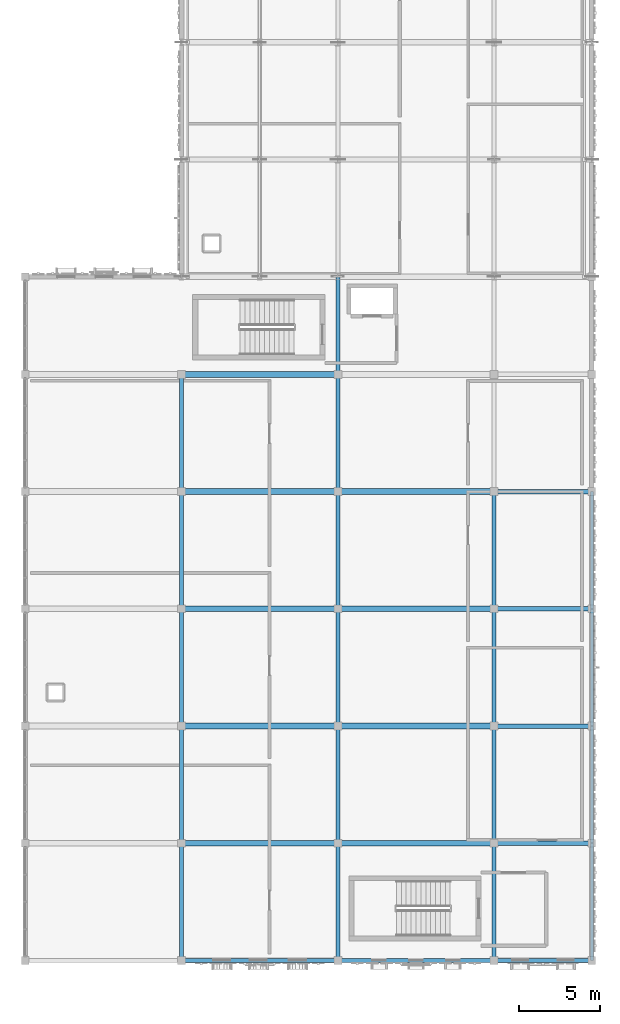
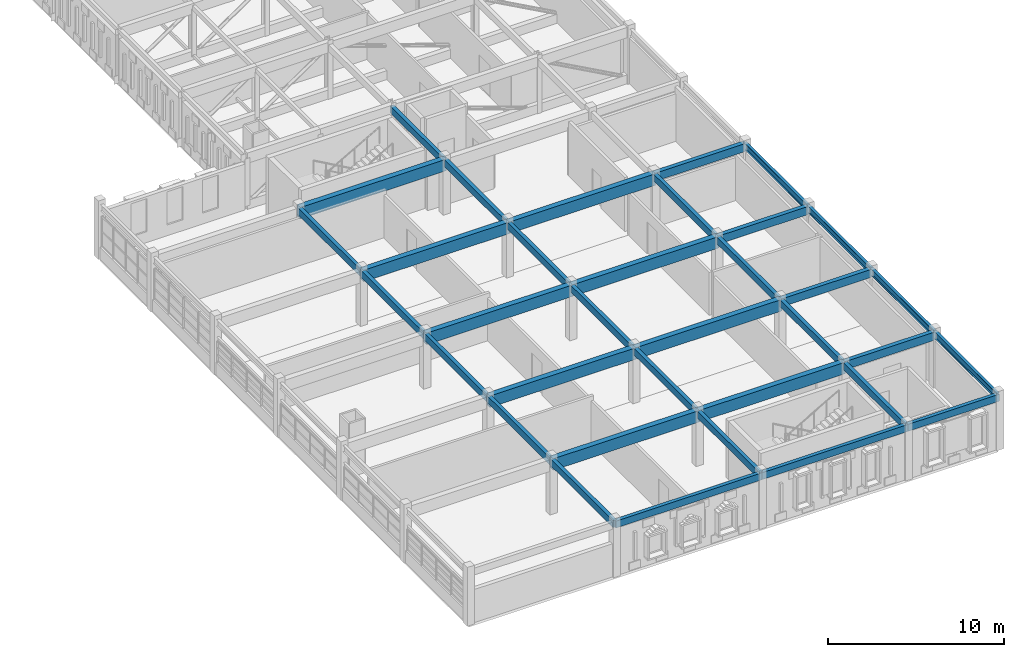
# One storey, part 27 of 79: 35 beams.
"""IFC4 building model written with IfcOpenShell, lengths in metres."""

from ifc_helpers import new_model, si_unit, direction, frame, origin, origin_2d, place, context, subcontext, project, spatial, rectangle, i_section, extrude, material, material_profile, profile_set, type_object, element, save


model = new_model("IFC4")

# Units and contexts
model_context = context("Model", 3, precision=1e-05, world=origin(), true_north=direction((0.0, 1.0)))
body_context = subcontext(model_context, "Body", "Model", "MODEL_VIEW")
ifc_project = project(units=[si_unit("LENGTHUNIT", "METRE"), si_unit("AREAUNIT", "SQUARE_METRE"), si_unit("VOLUMEUNIT", "CUBIC_METRE"), si_unit("PLANEANGLEUNIT", "RADIAN"), si_unit("MASSUNIT", "GRAM", prefix="KILO")], contexts=[model_context])

# Site, building, storey
site_placement = place(None, origin())
site = spatial("IfcSite", under=ifc_project, at=site_placement, CompositionType="ELEMENT")
building_placement = place(site_placement, origin())
building = spatial("IfcBuilding", under=site, at=building_placement, Name="Nzembalo Square Collegiate School", CompositionType="ELEMENT")
storey_placement = place(building_placement, frame((0.0, 0.0, 9.52001953125)))
storey = spatial("IfcBuildingStorey", under=building, at=storey_placement, Name="L02", CompositionType="ELEMENT", Elevation=9.52001953125)

# Beams
ifc_material_1 = material(Name="Glulam GL28h", Category="wood")
ifc_material_profile_1 = material_profile(ifc_material_1, rectangle(XDim=0.280029296875, YDim=0.56005859375, at=origin_2d()), Name="GL28h 280x560")
ifc_profile_set_1 = profile_set([ifc_material_profile_1], Name="Glulam GL28h")
beam_type_1 = type_object("IfcBeamType", Name="B05", PredefinedType="BEAM", material=ifc_profile_set_1)
for number, where, z_axis, x_axis, name in (
    (1, (159.60009765625, 15.60009765625, 3.5048828125), (1.0, 0.0, 0.0), (0.0, 1.0, 0.0), "Beam B05 L02"),
    (2, (159.60009765625, 22.800048828125, 3.5048828125), (1.0, 0.0, 0.0), (0.0, 1.0, 0.0), "Beam B05 L02"),
    (3, (159.60009765625, 30.0, 3.5048828125), (1.0, 0.0, 0.0), (0.0, 1.0, 0.0), "Beam B05 L02"),
    (4, (159.60009765625, 37.199951171875, 3.5048828125), (1.0, 0.0, 0.0), (0.0, 1.0, 0.0), "Beam B05 L02"),
):
    element("IfcBeam", number, at=place(storey_placement, frame(where, z_axis=z_axis, x_axis=x_axis)), inside=storey, type_object=beam_type_1, Name=name, PredefinedType="BEAM", context=body_context, shape_type="SweptSolid", body=[
        extrude(rectangle(XDim=0.280029296875, YDim=0.56005859375, at=origin_2d()), origin(), (0.0, 0.0, 1.0), 6.0),
    ])
ifc_material_2 = material(Name="Glulam GL28h", Category="wood")
ifc_material_profile_2 = material_profile(ifc_material_2, rectangle(XDim=0.239990234375, YDim=0.47998046875, at=origin_2d()), Name="GL28h 240x480")
ifc_profile_set_2 = profile_set([ifc_material_profile_2], Name="Glulam GL28h")
beam_type_2 = type_object("IfcBeamType", Name="B06", PredefinedType="BEAM", material=ifc_profile_set_2)
beam_1_placement = place(storey_placement, frame((140.39990234375, 8.39990234375, 3.544921875), z_axis=(0.0, 1.0, 0.0), x_axis=(-1.0, 0.0, 0.0)))
element("IfcBeam", 5, at=beam_1_placement, inside=storey, type_object=beam_type_2, Name="Beam B06 L02", PredefinedType="BEAM", context=body_context, shape_type="SweptSolid", body=[
    extrude(rectangle(XDim=0.239990234375, YDim=0.47998046875, at=origin_2d()), origin(), (0.0, 0.0, 1.0), 7.2001953125),
])
for number, where, z_axis, x_axis, name in (
    (6, (140.39990234375, 15.60009765625, 3.544921875), (0.0, 1.0, 0.0), (-1.0, 0.0, 0.0), "Beam B06 L02"),
    (7, (140.39990234375, 22.800048828125, 3.544921875), (0.0, 1.0, 0.0), (-1.0, 0.0, 0.0), "Beam B06 L02"),
    (8, (140.39990234375, 30.0, 3.544921875), (0.0, 1.0, 0.0), (-1.0, 0.0, 0.0), "Beam B06 L02"),
    (9, (140.39990234375, 37.199951171875, 3.544921875), (0.0, 1.0, 0.0), (-1.0, 0.0, 0.0), "Beam B06 L02"),
):
    element("IfcBeam", number, at=place(storey_placement, frame(where, z_axis=z_axis, x_axis=x_axis)), inside=storey, type_object=beam_type_2, Name=name, PredefinedType="BEAM", context=body_context, shape_type="SweptSolid", body=[
        extrude(rectangle(XDim=0.239990234375, YDim=0.47998046875, at=origin_2d()), origin(), (0.0, 0.0, 1.0), 7.199951171875),
    ])
beam_2_placement = place(storey_placement, frame((150.0, 8.39990234375, 3.544921875), z_axis=(0.0, 1.0, 0.0), x_axis=(-1.0, 0.0, 0.0)))
element("IfcBeam", 10, at=beam_2_placement, inside=storey, type_object=beam_type_2, Name="Beam B06 L02", PredefinedType="BEAM", context=body_context, shape_type="SweptSolid", body=[
    extrude(rectangle(XDim=0.239990234375, YDim=0.47998046875, at=origin_2d()), origin(), (0.0, 0.0, 1.0), 7.2001953125),
])
for number, where, z_axis, x_axis, name in (
    (11, (150.0, 15.60009765625, 3.544921875), (0.0, 1.0, 0.0), (-1.0, 0.0, 0.0), "Beam B06 L02"),
    (12, (150.0, 22.800048828125, 3.544921875), (0.0, 1.0, 0.0), (-1.0, 0.0, 0.0), "Beam B06 L02"),
    (13, (150.0, 30.0, 3.544921875), (0.0, 1.0, 0.0), (-1.0, 0.0, 0.0), "Beam B06 L02"),
    (14, (150.0, 37.199951171875, 3.544921875), (0.0, 1.0, 0.0), (-1.0, 0.0, 0.0), "Beam B06 L02"),
):
    element("IfcBeam", number, at=place(storey_placement, frame(where, z_axis=z_axis, x_axis=x_axis)), inside=storey, type_object=beam_type_2, Name=name, PredefinedType="BEAM", context=body_context, shape_type="SweptSolid", body=[
        extrude(rectangle(XDim=0.239990234375, YDim=0.47998046875, at=origin_2d()), origin(), (0.0, 0.0, 1.0), 7.199951171875),
    ])
beam_3_placement = place(storey_placement, frame((150.0, 44.39990234375, 3.544921875), z_axis=(0.0, 1.0, 0.0), x_axis=(-1.0, 0.0, 0.0)))
element("IfcBeam", 15, at=beam_3_placement, inside=storey, type_object=beam_type_2, Name="Beam B06 L02", PredefinedType="BEAM", context=body_context, shape_type="SweptSolid", body=[
    extrude(rectangle(XDim=0.239990234375, YDim=0.47998046875, at=origin_2d()), origin(), (0.0, 0.0, 1.0), 6.0),
])
beam_4_placement = place(storey_placement, frame((159.60009765625, 8.39990234375, 3.544921875), z_axis=(0.0, 1.0, 0.0), x_axis=(-1.0, 0.0, 0.0)))
element("IfcBeam", 16, at=beam_4_placement, inside=storey, type_object=beam_type_2, Name="Beam B06 L02", PredefinedType="BEAM", context=body_context, shape_type="SweptSolid", body=[
    extrude(rectangle(XDim=0.239990234375, YDim=0.47998046875, at=origin_2d()), origin(), (0.0, 0.0, 1.0), 7.2001953125),
])
for number, where, z_axis, x_axis, name in (
    (17, (159.60009765625, 15.60009765625, 3.544921875), (0.0, 1.0, 0.0), (-1.0, 0.0, 0.0), "Beam B06 L02"),
    (18, (159.60009765625, 22.800048828125, 3.544921875), (0.0, 1.0, 0.0), (-1.0, 0.0, 0.0), "Beam B06 L02"),
    (19, (159.60009765625, 30.0, 3.544921875), (0.0, 1.0, 0.0), (-1.0, 0.0, 0.0), "Beam B06 L02"),
):
    element("IfcBeam", number, at=place(storey_placement, frame(where, z_axis=z_axis, x_axis=x_axis)), inside=storey, type_object=beam_type_2, Name=name, PredefinedType="BEAM", context=body_context, shape_type="SweptSolid", body=[
        extrude(rectangle(XDim=0.239990234375, YDim=0.47998046875, at=origin_2d()), origin(), (0.0, 0.0, 1.0), 7.199951171875),
    ])
ifc_material_3 = material(Name="Steel S355", Category="steel")
ifc_material_profile_3 = material_profile(ifc_material_3, i_section(OverallWidth=0.18994140625, OverallDepth=0.449951171875, WebThickness=0.009521484375, FlangeThickness=0.0146484375, at=origin_2d()), Name="IPE 450")
ifc_profile_set_3 = profile_set([ifc_material_profile_3], Name="Steel S355")
beam_type_3 = type_object("IfcBeamType", Name="B09", PredefinedType="BEAM", material=ifc_profile_set_3)
beam_5_placement = place(storey_placement, frame((165.60009765625, 8.39990234375, 3.56005859375), z_axis=(0.0, 1.0, 0.0), x_axis=(-1.0, 0.0, 0.0)))
element("IfcBeam", 20, at=beam_5_placement, inside=storey, type_object=beam_type_3, Name="Beam B09 L02", PredefinedType="BEAM", context=body_context, shape_type="SweptSolid", body=[
    extrude(i_section(OverallWidth=0.18994140625, OverallDepth=0.449951171875, WebThickness=0.009521484375, FlangeThickness=0.0146484375, at=origin_2d()), origin(), (0.0, 0.0, 1.0), 7.2001953125),
])
for number, where, z_axis, x_axis, name in (
    (21, (165.60009765625, 15.60009765625, 3.56005859375), (0.0, 1.0, 0.0), (-1.0, 0.0, 0.0), "Beam B09 L02"),
    (22, (165.60009765625, 22.800048828125, 3.56005859375), (0.0, 1.0, 0.0), (-1.0, 0.0, 0.0), "Beam B09 L02"),
    (23, (165.60009765625, 30.0, 3.56005859375), (0.0, 1.0, 0.0), (-1.0, 0.0, 0.0), "Beam B09 L02"),
):
    element("IfcBeam", number, at=place(storey_placement, frame(where, z_axis=z_axis, x_axis=x_axis)), inside=storey, type_object=beam_type_3, Name=name, PredefinedType="BEAM", context=body_context, shape_type="SweptSolid", body=[
        extrude(i_section(OverallWidth=0.18994140625, OverallDepth=0.449951171875, WebThickness=0.009521484375, FlangeThickness=0.0146484375, at=origin_2d()), origin(), (0.0, 0.0, 1.0), 7.199951171875),
    ])
ifc_material_4 = material(Name="Glulam GL32h", Category="wood")
ifc_material_profile_4 = material_profile(ifc_material_4, rectangle(XDim=0.360107421875, YDim=0.800048828125, at=origin_2d()), Name="GL32h 360x800")
ifc_profile_set_4 = profile_set([ifc_material_profile_4], Name="Glulam GL32h")
beam_type_4 = type_object("IfcBeamType", Name="B13", PredefinedType="BEAM", material=ifc_profile_set_4)
for number, where, z_axis, x_axis, name in (
    (24, (140.39990234375, 15.60009765625, 3.385009765625), (1.0, 0.0, 0.0), (0.0, 1.0, 0.0), "Beam B13 L02"),
    (25, (150.0, 15.60009765625, 3.385009765625), (1.0, 0.0, 0.0), (0.0, 1.0, 0.0), "Beam B13 L02"),
    (26, (140.39990234375, 22.800048828125, 3.385009765625), (1.0, 0.0, 0.0), (0.0, 1.0, 0.0), "Beam B13 L02"),
    (27, (150.0, 22.800048828125, 3.385009765625), (1.0, 0.0, 0.0), (0.0, 1.0, 0.0), "Beam B13 L02"),
    (28, (140.39990234375, 30.0, 3.385009765625), (1.0, 0.0, 0.0), (0.0, 1.0, 0.0), "Beam B13 L02"),
    (29, (150.0, 30.0, 3.385009765625), (1.0, 0.0, 0.0), (0.0, 1.0, 0.0), "Beam B13 L02"),
    (30, (140.39990234375, 37.199951171875, 3.385009765625), (1.0, 0.0, 0.0), (0.0, 1.0, 0.0), "Beam B13 L02"),
    (31, (150.0, 37.199951171875, 3.385009765625), (1.0, 0.0, 0.0), (0.0, 1.0, 0.0), "Beam B13 L02"),
    (32, (140.39990234375, 44.39990234375, 3.385009765625), (1.0, 0.0, 0.0), (0.0, 1.0, 0.0), "Beam B13 L02"),
):
    element("IfcBeam", number, at=place(storey_placement, frame(where, z_axis=z_axis, x_axis=x_axis)), inside=storey, type_object=beam_type_4, Name=name, PredefinedType="BEAM", context=body_context, shape_type="SweptSolid", body=[
        extrude(rectangle(XDim=0.360107421875, YDim=0.800048828125, at=origin_2d()), origin(), (0.0, 0.0, 1.0), 9.60009765625),
    ])
ifc_material_5 = material(Name="Glulam GL28h", Category="wood")
ifc_material_profile_5 = material_profile(ifc_material_5, rectangle(XDim=0.239990234375, YDim=0.47998046875, at=origin_2d()), Name="GL28h 240x480")
ifc_profile_set_5 = profile_set([ifc_material_profile_5], Name="Glulam GL28h")
beam_type_5 = type_object("IfcBeamType", Name="SP02", PredefinedType="SPANDREL", material=ifc_profile_set_5)
for number, where, z_axis, x_axis, name in (
    (33, (140.39990234375, 8.39990234375, 3.544921875), (1.0, 0.0, 0.0), (0.0, 1.0, 0.0), "Beam SP02 L02"),
    (34, (150.0, 8.39990234375, 3.544921875), (1.0, 0.0, 0.0), (0.0, 1.0, 0.0), "Beam SP02 L02"),
):
    element("IfcBeam", number, at=place(storey_placement, frame(where, z_axis=z_axis, x_axis=x_axis)), inside=storey, type_object=beam_type_5, Name=name, PredefinedType="SPANDREL", context=body_context, shape_type="SweptSolid", body=[
        extrude(rectangle(XDim=0.239990234375, YDim=0.47998046875, at=origin_2d()), origin(), (0.0, 0.0, 1.0), 9.60009765625),
    ])
beam_6_placement = place(storey_placement, frame((159.60009765625, 8.39990234375, 3.544921875), z_axis=(1.0, 0.0, 0.0), x_axis=(0.0, 1.0, 0.0)))
element("IfcBeam", 35, at=beam_6_placement, inside=storey, type_object=beam_type_5, Name="Beam SP02 L02", PredefinedType="SPANDREL", context=body_context, shape_type="SweptSolid", body=[
    extrude(rectangle(XDim=0.239990234375, YDim=0.47998046875, at=origin_2d()), origin(), (0.0, 0.0, 1.0), 6.0),
])

save(model, "model.ifc")
